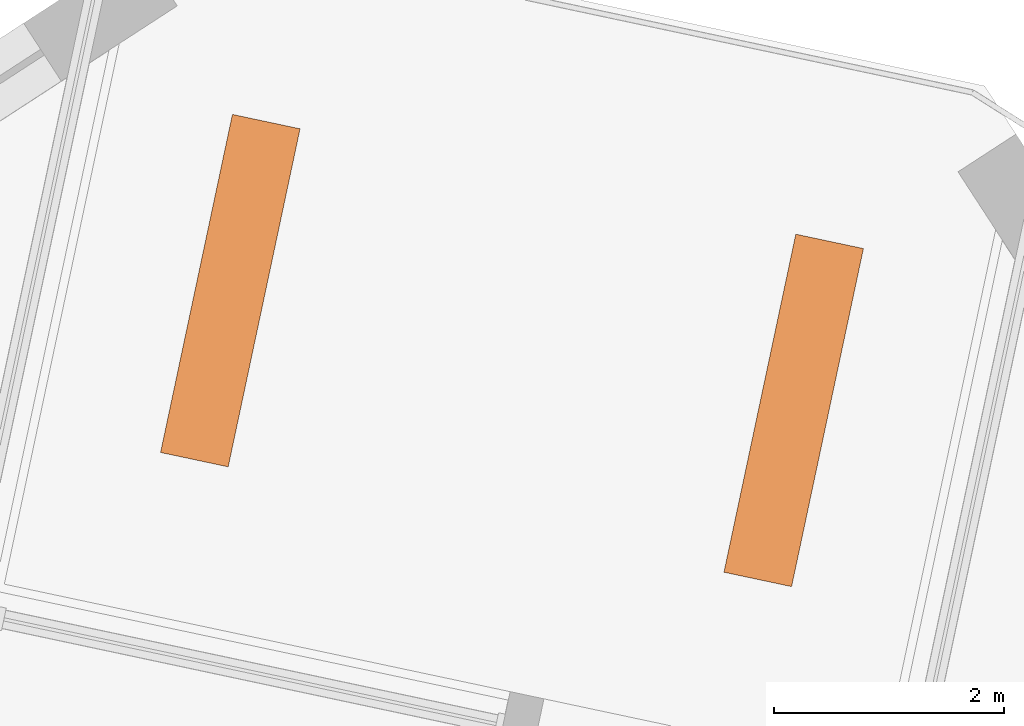
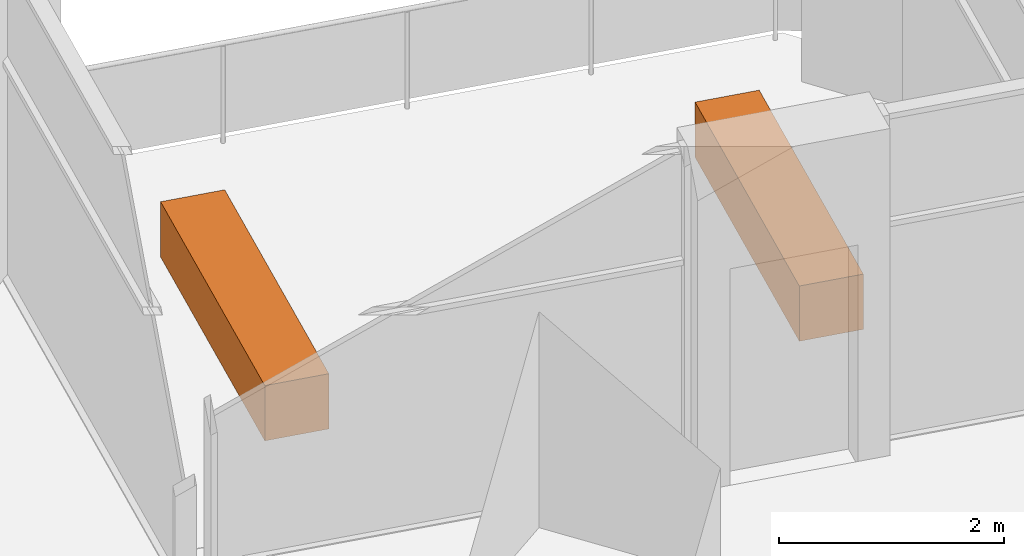
# One storey, part 12 of 12: 2 proxies.
"""IFC4 building model written with IfcOpenShell, lengths in metres."""

from ifc_helpers import new_model, si_unit, direction, frame, origin, origin_2d, place, context, subcontext, project, spatial, rectangle, extrude, element, save


model = new_model("IFC4")

# Units and contexts
model_context = context("Model", 3, precision=1e-05, world=origin(), true_north=direction((0.0, 1.0)))
body_context = subcontext(model_context, "Body", "Model", "MODEL_VIEW")
ifc_project = project(units=[si_unit("LENGTHUNIT", "METRE"), si_unit("AREAUNIT", "SQUARE_METRE"), si_unit("VOLUMEUNIT", "CUBIC_METRE"), si_unit("PLANEANGLEUNIT", "RADIAN"), si_unit("MASSUNIT", "GRAM", prefix="KILO")], contexts=[model_context])

# Site, building, storey
site_placement = place(None, origin())
site = spatial("IfcSite", under=ifc_project, at=site_placement, CompositionType="ELEMENT")
building_placement = place(site_placement, origin())
building = spatial("IfcBuilding", under=site, at=building_placement, Name="Dilmun Exchange Tower", CompositionType="ELEMENT")
storey_placement = place(building_placement, frame((0.0, 0.0, 155.699951171875)))
storey = spatial("IfcBuildingStorey", under=building, at=storey_placement, Name="L36", CompositionType="ELEMENT", Elevation=155.699951171875)

# Proxies
for number, where, z_axis, x_axis, name in (
    (1, (11.847412109375, 31.4697265625, 0.0), (0.0, 0.0, 1.0), (0.207911690818, 0.978147600734, 0.0), "PLANTER Date palm L36.1"),
    (2, (6.956787109375, 32.50927734375, 0.0), (0.0, 0.0, 1.0), (0.207911690818, 0.978147600734, 0.0), "PLANTER Date palm L36.2"),
):
    element("IfcBuildingElementProxy", number, at=place(storey_placement, frame(where, z_axis=z_axis, x_axis=x_axis)), inside=storey, Name=name, ObjectType="PLANTER", PredefinedType="USERDEFINED", context=body_context, shape_type="SweptSolid", body=[
        extrude(rectangle(XDim=3.0, YDim=0.60009765625, at=origin_2d()), origin(), (0.0, 0.0, 1.0), 0.60009765625),
    ])

save(model, "model.ifc")
